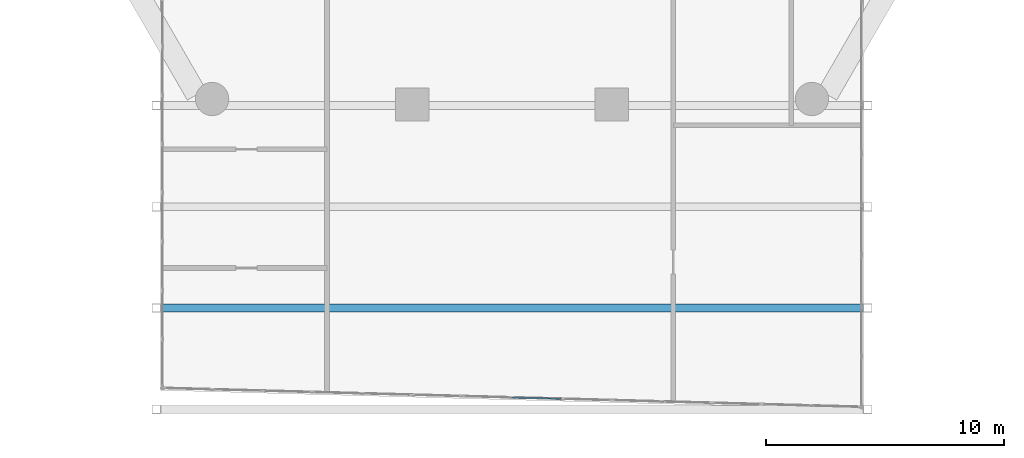
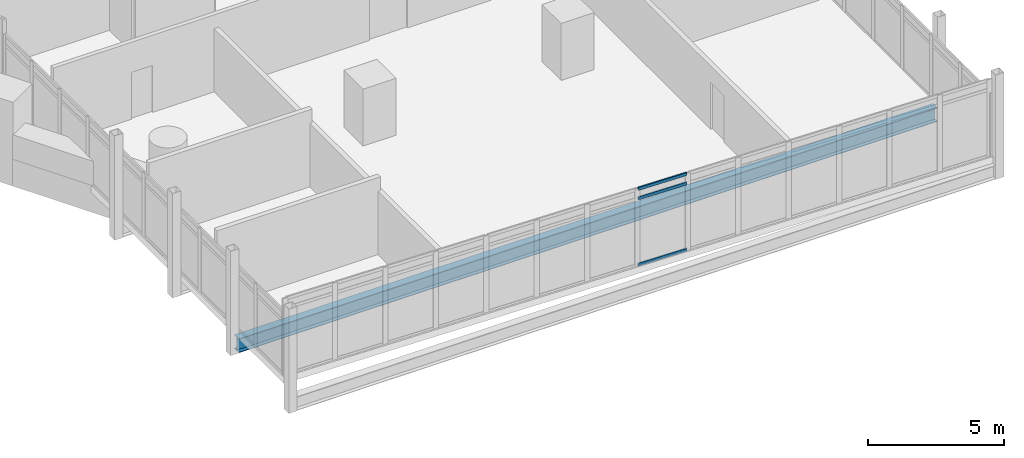
# One storey, part 6 of 28: 3 members, 1 beam, 1 element without a shape of its own.
"""IFC4 building model written with IfcOpenShell, lengths in metres."""

from ifc_helpers import new_model, si_unit, direction, frame, origin, origin_2d, place, context, subcontext, project, spatial, hollow_rectangle, i_section, extrude, material, material_profile, profile_set, type_object, element, aggregate, save


model = new_model("IFC4")

# Units and contexts
model_context = context("Model", 3, precision=1e-05, world=origin(), true_north=direction((0.0, 1.0)))
body_context = subcontext(model_context, "Body", "Model", "MODEL_VIEW")
ifc_project = project(units=[si_unit("LENGTHUNIT", "METRE"), si_unit("AREAUNIT", "SQUARE_METRE"), si_unit("VOLUMEUNIT", "CUBIC_METRE"), si_unit("PLANEANGLEUNIT", "RADIAN"), si_unit("MASSUNIT", "GRAM", prefix="KILO")], contexts=[model_context])

# Site, building, storey
site_placement = place(None, origin())
site = spatial("IfcSite", under=ifc_project, at=site_placement, CompositionType="ELEMENT")
building_placement = place(site_placement, origin())
building = spatial("IfcBuilding", under=site, at=building_placement, Name="Ostrander Bayou Hotel Tower", CompositionType="ELEMENT")
storey_placement = place(building_placement, frame((0.0, 0.0, 76.75)))
storey = spatial("IfcBuildingStorey", under=building, at=storey_placement, Name="L19", CompositionType="ELEMENT", Elevation=76.75)

# Curtain wall, members
ifc_material_1 = material(Name="Aluminium and clear glass", Category="aluminium")
curtain_wall_type = type_object("IfcCurtainWallType", Name="CW-BAR glazed wall", PredefinedType="NOTDEFINED", material=ifc_material_1)
curtain_wall_placement = place(storey_placement, origin())
curtain_wall = element("IfcCurtainWall", 1, at=curtain_wall_placement, inside=storey, type_object=curtain_wall_type, Name="CW-BAR L19:SB1S:T", PredefinedType="NOTDEFINED")
ifc_material_2 = material(Name="Aluminium", Category="aluminium")
ifc_material_profile_1 = material_profile(ifc_material_2, hollow_rectangle(XDim=0.06005859375, YDim=0.1298828125, WallThickness=0.00390625, at=origin_2d()))
ifc_profile_set_1 = profile_set([ifc_material_profile_1], Name="Aluminium")
member_type = type_object("IfcMemberType", Name="CW-BR transom 60 x 130 mm", PredefinedType="USERDEFINED", material=ifc_profile_set_1)
member_1_placement = place(storey_placement, frame((0.030029296875, -32.450927734375, 0.030029296875), z_axis=(0.999635057116, -0.027013933147, 0.0), x_axis=(0.027013933147, 0.999635057116, 0.0)))
member_1 = element("IfcMember", 2, at=member_1_placement, type_object=member_type, Name="CW-BAR transom 8.1", ObjectType="TRANSOM", PredefinedType="USERDEFINED", context=body_context, shape_type="SweptSolid", body=[
    extrude(hollow_rectangle(XDim=0.06005859375, YDim=0.1298828125, WallThickness=0.00390625, at=origin_2d()), origin(), (0.0, 0.0, 1.0), 2.04248046875),
])
member_2_placement = place(storey_placement, frame((0.030029296875, -32.450927734375, 3.0), z_axis=(0.999635057116, -0.027013933147, 0.0), x_axis=(0.027013933147, 0.999635057116, 0.0)))
member_2 = element("IfcMember", 3, at=member_2_placement, type_object=member_type, Name="CW-BAR transom 8.2", ObjectType="TRANSOM", PredefinedType="USERDEFINED", context=body_context, shape_type="SweptSolid", body=[
    extrude(hollow_rectangle(XDim=0.06005859375, YDim=0.1298828125, WallThickness=0.00390625, at=origin_2d()), origin(), (0.0, 0.0, 1.0), 2.04248046875),
])
member_3_placement = place(storey_placement, frame((0.030029296875, -32.450927734375, 3.419921875), z_axis=(0.999635057116, -0.027013933147, 0.0), x_axis=(0.027013933147, 0.999635057116, 0.0)))
member_3 = element("IfcMember", 4, at=member_3_placement, type_object=member_type, Name="CW-BAR transom 8.3", ObjectType="TRANSOM", PredefinedType="USERDEFINED", context=body_context, shape_type="SweptSolid", body=[
    extrude(hollow_rectangle(XDim=0.06005859375, YDim=0.1298828125, WallThickness=0.00390625, at=origin_2d()), origin(), (0.0, 0.0, 1.0), 2.04248046875),
])
aggregate(curtain_wall, [member_1, member_2, member_3])

# Beam
ifc_material_3 = material(Name="Steel ASTM A992", Category="steel")
ifc_material_profile_2 = material_profile(ifc_material_3, i_section(OverallWidth=0.32763671875, OverallDepth=0.621826171875, WebThickness=0.015380859375, FlangeThickness=0.0244140625, at=origin_2d()))
ifc_profile_set_2 = profile_set([ifc_material_profile_2], Name="Steel ASTM A992")
beam_type = type_object("IfcBeamType", Name="TF1 bar floor beam W24x131", PredefinedType="BEAM", material=ifc_profile_set_2)
beam_placement = place(storey_placement, frame((-14.787109375, -28.6875, -0.61083984375), z_axis=(1.0, 0.0, 0.0), x_axis=(0.0, 1.0, 0.0)))
element("IfcBeam", 5, at=beam_placement, inside=storey, type_object=beam_type, Name="TF1 SB1S L4-3", PredefinedType="BEAM", context=body_context, shape_type="SweptSolid", body=[
    extrude(i_section(OverallWidth=0.32763671875, OverallDepth=0.621826171875, WebThickness=0.015380859375, FlangeThickness=0.0244140625, at=origin_2d()), origin(), (0.0, 0.0, 1.0), 29.57421875),
])

save(model, "model.ifc")
